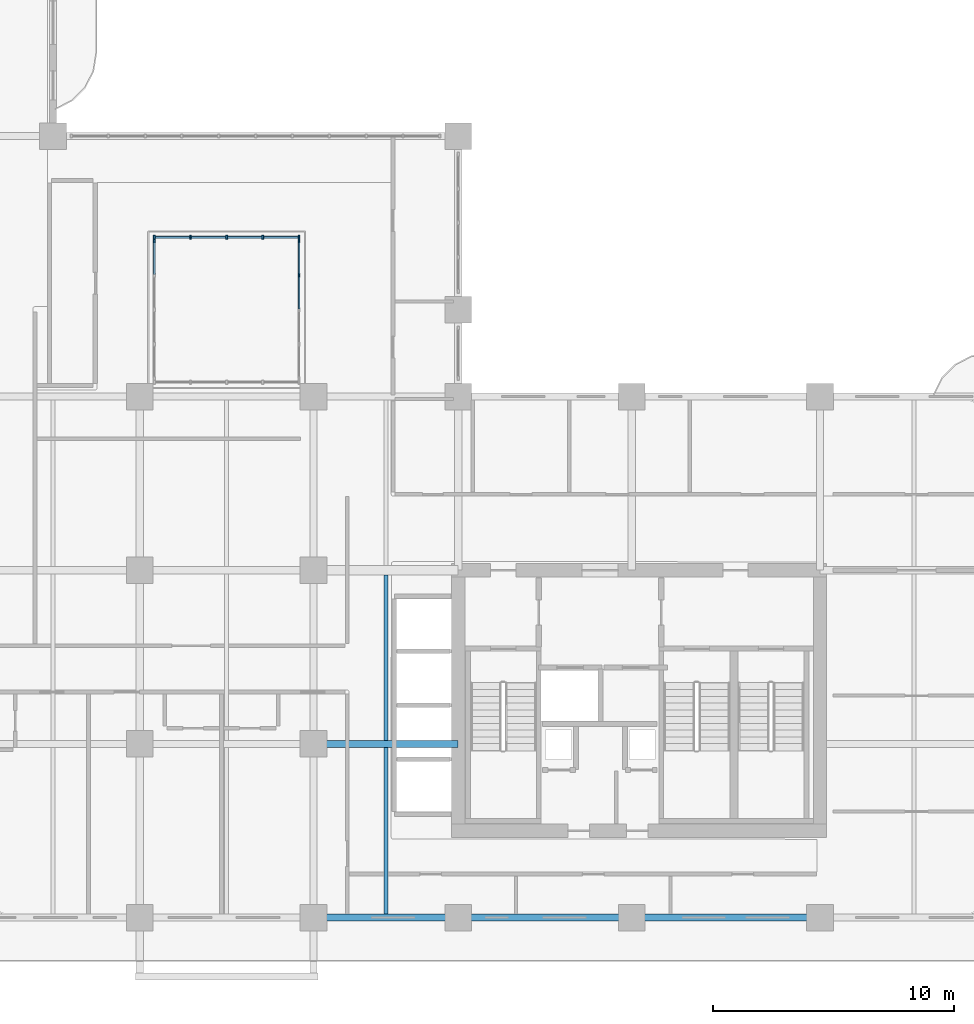
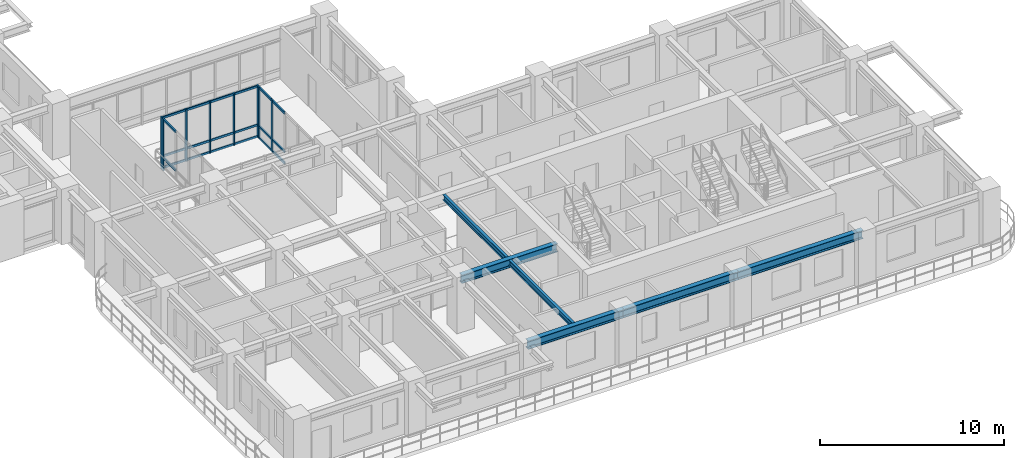
# One storey, part 3 of 22: 28 members, 6 beams, 3 elements without a shape of their own.
"""IFC4 building model written with IfcOpenShell, lengths in metres."""

from ifc_helpers import new_model, si_unit, derived_unit, direction, frame, origin, origin_2d, place, context, subcontext, project, spatial, rectangle, i_section, extrude, source, transform, mapped, material, layer, layer_set, material_profile, profile_set, type_object, type_shapes, element, aggregate, save


model = new_model("IFC4")

# Units and contexts
model_context = context("Model", 3, precision=1e-05, world=origin(), true_north=direction((0.0, 1.0)))
body_context = subcontext(model_context, "Body", "Model", "MODEL_VIEW")
ifc_project = project(units=[si_unit("LENGTHUNIT", "METRE"), si_unit("AREAUNIT", "SQUARE_METRE"), si_unit("VOLUMEUNIT", "CUBIC_METRE"), si_unit("PLANEANGLEUNIT", "RADIAN"), si_unit("MASSUNIT", "GRAM", prefix="KILO"), si_unit("THERMODYNAMICTEMPERATUREUNIT", "KELVIN"), si_unit("POWERUNIT", "WATT"), derived_unit("THERMALTRANSMITTANCEUNIT", [(si_unit("POWERUNIT", "WATT"), 1), (si_unit("AREAUNIT", "SQUARE_METRE"), -1), (si_unit("THERMODYNAMICTEMPERATUREUNIT", "KELVIN"), -1)])], contexts=[model_context])

# Site, building, storey
site_placement = place(None, origin())
site = spatial("IfcSite", under=ifc_project, at=site_placement, CompositionType="ELEMENT")
building_placement = place(site_placement, origin())
building = spatial("IfcBuilding", under=site, at=building_placement, Name="Zahravan Archway Hotel and Residences", CompositionType="ELEMENT")
storey_placement = place(building_placement, frame((0.0, 0.0, 73.10009765625)))
storey = spatial("IfcBuildingStorey", under=building, at=storey_placement, Name="L17", CompositionType="ELEMENT", Elevation=73.10009765625)

# Beams
ifc_material_1 = material(Name="Structural Steel S355JR", Category="steel")
ifc_material_profile_1 = material_profile(ifc_material_1, i_section(OverallWidth=0.300048828125, OverallDepth=0.550048828125, WebThickness=0.014892578125, FlangeThickness=0.029052734375, FilletRadius=0.027099609375, at=origin_2d()), Name="HEB 550", Category="steel")
ifc_profile_set_1 = profile_set([ifc_material_profile_1], Name="Structural Steel S355JR")
beam_type_1 = type_object("IfcBeamType", Name="BM-PRI-HEB550", PredefinedType="BEAM", material=ifc_profile_set_1)
shared_shape_1 = source(origin(), body_context, "Body", "SweptSolid", [
    extrude(i_section(OverallWidth=0.300048828125, OverallDepth=0.550048828125, WebThickness=0.014892578125, FlangeThickness=0.029052734375, FilletRadius=0.027099609375, at=origin_2d()), origin(), (0.0, 0.0, 1.0), 7.199951171875),
])
beam_1_placement = place(storey_placement, frame((34.800048828125, 0.0, 3.1748046875), z_axis=(1.0, 0.0, 0.0), x_axis=(0.0, 1.0, 0.0)))
element("IfcBeam", 1, at=beam_1_placement, inside=storey, type_object=beam_type_1, Name="L17 Primary Girder EW-04", PredefinedType="BEAM", context=body_context, shape_type="MappedRepresentation", body=[
    mapped(shared_shape_1, transform((0.0, 0.0, 0.0), scale=1.0)),
])
shared_shape_2 = source(origin(), body_context, "Body", "SweptSolid", [
    extrude(i_section(OverallWidth=0.300048828125, OverallDepth=0.550048828125, WebThickness=0.014892578125, FlangeThickness=0.029052734375, FilletRadius=0.027099609375, at=origin_2d()), origin(), (0.0, 0.0, 1.0), 6.0),
])
for number, where, z_axis, x_axis, name in (
    (2, (28.800048828125, 0.0, 3.1748046875), (1.0, 0.0, 0.0), (0.0, 1.0, 0.0), "L17 Primary Girder EW-03"),
    (3, (28.800048828125, 7.199951171875, 3.1748046875), (1.0, 0.0, 0.0), (0.0, 1.0, 0.0), "L17 Primary Girder EW-09"),
):
    element("IfcBeam", number, at=place(storey_placement, frame(where, z_axis=z_axis, x_axis=x_axis)), inside=storey, type_object=beam_type_1, Name=name, PredefinedType="BEAM", context=body_context, shape_type="MappedRepresentation", body=[
        mapped(shared_shape_2, transform((0.0, 0.0, 0.0), scale=1.0)),
    ])
shared_shape_3 = source(origin(), body_context, "Body", "SweptSolid", [
    extrude(i_section(OverallWidth=0.300048828125, OverallDepth=0.550048828125, WebThickness=0.014892578125, FlangeThickness=0.029052734375, FilletRadius=0.027099609375, at=origin_2d()), origin(), (0.0, 0.0, 1.0), 7.800048828125),
])
beam_2_placement = place(storey_placement, frame((42.0, 0.0, 3.1748046875), z_axis=(1.0, 0.0, 0.0), x_axis=(0.0, 1.0, 0.0)))
element("IfcBeam", 4, at=beam_2_placement, inside=storey, type_object=beam_type_1, Name="L17 Primary Girder EW-05", PredefinedType="BEAM", context=body_context, shape_type="MappedRepresentation", body=[
    mapped(shared_shape_3, transform((0.0, 0.0, 0.0), scale=1.0)),
])
ifc_material_profile_2 = material_profile(ifc_material_1, i_section(OverallWidth=0.169921875, OverallDepth=0.360107421875, WebThickness=0.008056640625, FlangeThickness=0.0126953125, FilletRadius=0.01806640625, at=origin_2d()), Name="IPE 360", Category="steel")
ifc_profile_set_2 = profile_set([ifc_material_profile_2], Name="Structural Steel S355JR")
beam_type_2 = type_object("IfcBeamType", Name="BM-JST-IPE360", PredefinedType="JOIST", material=ifc_profile_set_2)
shared_shape_4 = source(origin(), body_context, "Body", "SweptSolid", [
    extrude(i_section(OverallWidth=0.169921875, OverallDepth=0.360107421875, WebThickness=0.008056640625, FlangeThickness=0.0126953125, FilletRadius=0.01806640625, at=origin_2d()), origin(), (0.0, 0.0, 1.0), 6.904052734375),
])
type_shapes(beam_type_2, [shared_shape_4])
beam_3_placement = place(storey_placement, frame((31.800048828125, 0.14794921875, 3.27001953125), z_axis=(0.0, 1.0, 0.0), x_axis=(-1.0, 0.0, 0.0)))
element("IfcBeam", 5, at=beam_3_placement, inside=storey, type_object=beam_type_2, Name="L17 Composite Floor Joist 03", PredefinedType="JOIST", context=body_context, shape_type="MappedRepresentation", body=[
    mapped(shared_shape_4, transform((0.0, 0.0, 0.0), scale=1.0)),
])
shared_shape_5 = source(origin(), body_context, "Body", "SweptSolid", [
    extrude(i_section(OverallWidth=0.169921875, OverallDepth=0.360107421875, WebThickness=0.008056640625, FlangeThickness=0.0126953125, FilletRadius=0.01806640625, at=origin_2d()), origin(), (0.0, 0.0, 1.0), 6.85400390625),
])
beam_4_placement = place(storey_placement, frame((31.800048828125, 7.347900390625, 3.27001953125), z_axis=(0.0, 1.0, 0.0), x_axis=(-1.0, 0.0, 0.0)))
element("IfcBeam", 6, at=beam_4_placement, inside=storey, type_object=beam_type_2, Name="L17 Composite Floor Joist 07", PredefinedType="JOIST", context=body_context, shape_type="MappedRepresentation", body=[
    mapped(shared_shape_5, transform((0.0, 0.0, 0.0), scale=1.0)),
])

# Curtain wall, members
ifc_material_2 = material(Name="Bronze-Anodized Unitised Aluminium & Low-E Glass", Category="aluminium")
ifc_layer = layer(ifc_material_2, 0.179931640625, Name="Bronze-Anodized Unitised Aluminium & Low-E Glass", Category="aluminium")
ifc_layer_set = layer_set([ifc_layer], Name="Bronze-Anodized Unitised Aluminium & Low-E Glass")
curtain_wall_type = type_object("IfcCurtainWallType", Name="CW-ATR-GLAZ", PredefinedType="NOTDEFINED", material=ifc_layer_set)
curtain_wall_1_placement = place(storey_placement, origin())
curtain_wall_1 = element("IfcCurtainWall", 7, at=curtain_wall_1_placement, inside=storey, type_object=curtain_wall_type, Name="L17 Curtain Wall CW-ATR-L17-N-1", PredefinedType="NOTDEFINED")
ifc_material_3 = material(Name="Bronze-Anodized Extruded Aluminium", Category="aluminium")
ifc_material_profile_3 = material_profile(ifc_material_3, rectangle(XDim=0.080078125, YDim=0.159912109375, at=origin_2d()), Name="MUL 80x160", Category="aluminium")
ifc_profile_set_3 = profile_set([ifc_material_profile_3], Name="Bronze-Anodized Extruded Aluminium")
member_type_1 = type_object("IfcMemberType", Name="CWM-MUL-160", PredefinedType="MULLION", material=ifc_profile_set_3)
shared_shape_6 = source(origin(), body_context, "Body", "SweptSolid", [
    extrude(rectangle(XDim=0.080078125, YDim=0.159912109375, at=origin_2d()), origin(), (0.0, 0.0, 1.0), 3.449951171875),
])
member_1_placement = place(storey_placement, frame((22.199951171875, 28.199951171875, 0.0), z_axis=(0.0, 0.0, 1.0), x_axis=(1.0, 0.0, 0.0)))
member_1 = element("IfcMember", 8, at=member_1_placement, type_object=member_type_1, Name="CW-ATR-L17-N-1 Mullion 0", PredefinedType="MULLION", context=body_context, shape_type="MappedRepresentation", body=[
    mapped(shared_shape_6, transform((0.0, 0.0, 0.0), scale=1.0)),
])
member_2_placement = place(storey_placement, frame((23.699951171875, 28.199951171875, 0.0), z_axis=(0.0, 0.0, 1.0), x_axis=(1.0, 0.0, 0.0)))
member_2 = element("IfcMember", 9, at=member_2_placement, type_object=member_type_1, Name="CW-ATR-L17-N-1 Mullion 1", PredefinedType="MULLION", context=body_context, shape_type="MappedRepresentation", body=[
    mapped(shared_shape_6, transform((0.0, 0.0, 0.0), scale=1.0)),
])
member_3_placement = place(storey_placement, frame((25.199951171875, 28.199951171875, 0.0), z_axis=(0.0, 0.0, 1.0), x_axis=(1.0, 0.0, 0.0)))
member_3 = element("IfcMember", 10, at=member_3_placement, type_object=member_type_1, Name="CW-ATR-L17-N-1 Mullion 2", PredefinedType="MULLION", context=body_context, shape_type="MappedRepresentation", body=[
    mapped(shared_shape_6, transform((0.0, 0.0, 0.0), scale=1.0)),
])
member_4_placement = place(storey_placement, frame((26.699951171875, 28.199951171875, 0.0), z_axis=(0.0, 0.0, 1.0), x_axis=(1.0, 0.0, 0.0)))
member_4 = element("IfcMember", 11, at=member_4_placement, type_object=member_type_1, Name="CW-ATR-L17-N-1 Mullion 3", PredefinedType="MULLION", context=body_context, shape_type="MappedRepresentation", body=[
    mapped(shared_shape_6, transform((0.0, 0.0, 0.0), scale=1.0)),
])
member_5_placement = place(storey_placement, frame((28.199951171875, 28.199951171875, 0.0), z_axis=(0.0, 0.0, 1.0), x_axis=(1.0, 0.0, 0.0)))
member_5 = element("IfcMember", 12, at=member_5_placement, type_object=member_type_1, Name="CW-ATR-L17-N-1 Mullion 4", PredefinedType="MULLION", context=body_context, shape_type="MappedRepresentation", body=[
    mapped(shared_shape_6, transform((0.0, 0.0, 0.0), scale=1.0)),
])

# Curtain wall, member
curtain_wall_2_placement = place(storey_placement, origin())
curtain_wall_2 = element("IfcCurtainWall", 13, at=curtain_wall_2_placement, inside=storey, type_object=curtain_wall_type, Name="L17 Curtain Wall CW-ATR-L17-W-1", PredefinedType="NOTDEFINED")
member_6_placement = place(storey_placement, frame((22.199951171875, 28.050048828125, 0.0), z_axis=(0.0, 0.0, 1.0), x_axis=(1.0, 0.0, 0.0)))
member_6 = element("IfcMember", 14, at=member_6_placement, type_object=member_type_1, Name="CW-ATR-L17-W-1 Mullion 4", PredefinedType="MULLION", context=body_context, shape_type="MappedRepresentation", body=[
    mapped(shared_shape_6, transform((0.0, 0.0, 0.0), scale=1.0)),
])

# Curtain wall, members
curtain_wall_3_placement = place(storey_placement, origin())
curtain_wall_3 = element("IfcCurtainWall", 15, at=curtain_wall_3_placement, inside=storey, type_object=curtain_wall_type, Name="L17 Curtain Wall CW-ATR-L17-E-1", PredefinedType="NOTDEFINED")
member_7_placement = place(storey_placement, frame((28.199951171875, 26.625, 0.0), z_axis=(0.0, 0.0, 1.0), x_axis=(1.0, 0.0, 0.0)))
member_7 = element("IfcMember", 16, at=member_7_placement, type_object=member_type_1, Name="CW-ATR-L17-E-1 Mullion 3", PredefinedType="MULLION", context=body_context, shape_type="MappedRepresentation", body=[
    mapped(shared_shape_6, transform((0.0, 0.0, 0.0), scale=1.0)),
])
member_8_placement = place(storey_placement, frame((28.199951171875, 28.050048828125, 0.0), z_axis=(0.0, 0.0, 1.0), x_axis=(1.0, 0.0, 0.0)))
member_8 = element("IfcMember", 17, at=member_8_placement, type_object=member_type_1, Name="CW-ATR-L17-E-1 Mullion 4", PredefinedType="MULLION", context=body_context, shape_type="MappedRepresentation", body=[
    mapped(shared_shape_6, transform((0.0, 0.0, 0.0), scale=1.0)),
])

# Member
ifc_material_profile_4 = material_profile(ifc_material_3, rectangle(XDim=0.080078125, YDim=0.139892578125, at=origin_2d()), Name="TRN 80x140", Category="aluminium")
ifc_profile_set_4 = profile_set([ifc_material_profile_4], Name="Bronze-Anodized Extruded Aluminium")
member_type_2 = type_object("IfcMemberType", Name="CWM-TRN-140", PredefinedType="USERDEFINED", material=ifc_profile_set_4)
shared_shape_7 = source(origin(), body_context, "Body", "SweptSolid", [
    extrude(rectangle(XDim=0.080078125, YDim=0.139892578125, at=origin_2d()), origin(), (0.0, 0.0, 1.0), 1.419921875),
])
member_9_placement = place(storey_placement, frame((22.239990234375, 28.199951171875, 0.06982421875), z_axis=(1.0, 0.0, 0.0), x_axis=(0.0, 1.0, 0.0)))
member_9 = element("IfcMember", 18, at=member_9_placement, type_object=member_type_2, Name="CW-ATR-L17-N-1 Transom 0-1", ObjectType="TRANSOM", PredefinedType="USERDEFINED", context=body_context, shape_type="MappedRepresentation", body=[
    mapped(shared_shape_7, transform((0.0, 0.0, 0.0), scale=1.0)),
])

member_10_placement = place(storey_placement, frame((22.239990234375, 28.199951171875, 0.827880859375), z_axis=(1.0, 0.0, 0.0), x_axis=(0.0, 1.0, 0.0)))
member_10 = element("IfcMember", 19, at=member_10_placement, type_object=member_type_2, Name="CW-ATR-L17-N-1 Transom 0-2", ObjectType="TRANSOM", PredefinedType="USERDEFINED", context=body_context, shape_type="MappedRepresentation", body=[
    mapped(shared_shape_7, transform((0.0, 0.0, 0.0), scale=1.0)),
])

member_11_placement = place(storey_placement, frame((22.239990234375, 28.199951171875, 3.3798828125), z_axis=(1.0, 0.0, 0.0), x_axis=(0.0, 1.0, 0.0)))
member_11 = element("IfcMember", 20, at=member_11_placement, type_object=member_type_2, Name="CW-ATR-L17-N-1 Transom 0-3", ObjectType="TRANSOM", PredefinedType="USERDEFINED", context=body_context, shape_type="MappedRepresentation", body=[
    mapped(shared_shape_7, transform((0.0, 0.0, 0.0), scale=1.0)),
])

member_12_placement = place(storey_placement, frame((23.739990234375, 28.199951171875, 0.06982421875), z_axis=(1.0, 0.0, 0.0), x_axis=(0.0, 1.0, 0.0)))
member_12 = element("IfcMember", 21, at=member_12_placement, type_object=member_type_2, Name="CW-ATR-L17-N-1 Transom 1-1", ObjectType="TRANSOM", PredefinedType="USERDEFINED", context=body_context, shape_type="MappedRepresentation", body=[
    mapped(shared_shape_7, transform((0.0, 0.0, 0.0), scale=1.0)),
])

member_13_placement = place(storey_placement, frame((23.739990234375, 28.199951171875, 0.827880859375), z_axis=(1.0, 0.0, 0.0), x_axis=(0.0, 1.0, 0.0)))
member_13 = element("IfcMember", 22, at=member_13_placement, type_object=member_type_2, Name="CW-ATR-L17-N-1 Transom 1-2", ObjectType="TRANSOM", PredefinedType="USERDEFINED", context=body_context, shape_type="MappedRepresentation", body=[
    mapped(shared_shape_7, transform((0.0, 0.0, 0.0), scale=1.0)),
])

member_14_placement = place(storey_placement, frame((23.739990234375, 28.199951171875, 3.3798828125), z_axis=(1.0, 0.0, 0.0), x_axis=(0.0, 1.0, 0.0)))
member_14 = element("IfcMember", 23, at=member_14_placement, type_object=member_type_2, Name="CW-ATR-L17-N-1 Transom 1-3", ObjectType="TRANSOM", PredefinedType="USERDEFINED", context=body_context, shape_type="MappedRepresentation", body=[
    mapped(shared_shape_7, transform((0.0, 0.0, 0.0), scale=1.0)),
])

member_15_placement = place(storey_placement, frame((25.239990234375, 28.199951171875, 0.06982421875), z_axis=(1.0, 0.0, 0.0), x_axis=(0.0, 1.0, 0.0)))
member_15 = element("IfcMember", 24, at=member_15_placement, type_object=member_type_2, Name="CW-ATR-L17-N-1 Transom 2-1", ObjectType="TRANSOM", PredefinedType="USERDEFINED", context=body_context, shape_type="MappedRepresentation", body=[
    mapped(shared_shape_7, transform((0.0, 0.0, 0.0), scale=1.0)),
])

member_16_placement = place(storey_placement, frame((25.239990234375, 28.199951171875, 0.827880859375), z_axis=(1.0, 0.0, 0.0), x_axis=(0.0, 1.0, 0.0)))
member_16 = element("IfcMember", 25, at=member_16_placement, type_object=member_type_2, Name="CW-ATR-L17-N-1 Transom 2-2", ObjectType="TRANSOM", PredefinedType="USERDEFINED", context=body_context, shape_type="MappedRepresentation", body=[
    mapped(shared_shape_7, transform((0.0, 0.0, 0.0), scale=1.0)),
])

member_17_placement = place(storey_placement, frame((25.239990234375, 28.199951171875, 3.3798828125), z_axis=(1.0, 0.0, 0.0), x_axis=(0.0, 1.0, 0.0)))
member_17 = element("IfcMember", 26, at=member_17_placement, type_object=member_type_2, Name="CW-ATR-L17-N-1 Transom 2-3", ObjectType="TRANSOM", PredefinedType="USERDEFINED", context=body_context, shape_type="MappedRepresentation", body=[
    mapped(shared_shape_7, transform((0.0, 0.0, 0.0), scale=1.0)),
])

member_18_placement = place(storey_placement, frame((26.739990234375, 28.199951171875, 0.06982421875), z_axis=(1.0, 0.0, 0.0), x_axis=(0.0, 1.0, 0.0)))
member_18 = element("IfcMember", 27, at=member_18_placement, type_object=member_type_2, Name="CW-ATR-L17-N-1 Transom 3-1", ObjectType="TRANSOM", PredefinedType="USERDEFINED", context=body_context, shape_type="MappedRepresentation", body=[
    mapped(shared_shape_7, transform((0.0, 0.0, 0.0), scale=1.0)),
])

member_19_placement = place(storey_placement, frame((26.739990234375, 28.199951171875, 0.827880859375), z_axis=(1.0, 0.0, 0.0), x_axis=(0.0, 1.0, 0.0)))
member_19 = element("IfcMember", 28, at=member_19_placement, type_object=member_type_2, Name="CW-ATR-L17-N-1 Transom 3-2", ObjectType="TRANSOM", PredefinedType="USERDEFINED", context=body_context, shape_type="MappedRepresentation", body=[
    mapped(shared_shape_7, transform((0.0, 0.0, 0.0), scale=1.0)),
])

member_20_placement = place(storey_placement, frame((26.739990234375, 28.199951171875, 3.3798828125), z_axis=(1.0, 0.0, 0.0), x_axis=(0.0, 1.0, 0.0)))
member_20 = element("IfcMember", 29, at=member_20_placement, type_object=member_type_2, Name="CW-ATR-L17-N-1 Transom 3-3", ObjectType="TRANSOM", PredefinedType="USERDEFINED", context=body_context, shape_type="MappedRepresentation", body=[
    mapped(shared_shape_7, transform((0.0, 0.0, 0.0), scale=1.0)),
])

aggregate(curtain_wall_1, [member_1, member_2, member_3, member_4, member_5, member_9, member_10, member_11, member_12, member_13, member_14, member_15, member_16, member_17, member_18, member_19, member_20])

shared_shape_8 = source(origin(), body_context, "Body", "SweptSolid", [
    extrude(rectangle(XDim=0.080078125, YDim=0.139892578125, at=origin_2d()), origin(), (0.0, 0.0, 1.0), 1.344970703125),
])
member_21_placement = place(storey_placement, frame((22.199951171875, 26.6650390625, 0.827880859375), z_axis=(0.0, 1.0, 0.0), x_axis=(-1.0, 0.0, 0.0)))
member_21 = element("IfcMember", 30, at=member_21_placement, type_object=member_type_2, Name="CW-ATR-L17-W-1 Transom 3-2", ObjectType="TRANSOM", PredefinedType="USERDEFINED", context=body_context, shape_type="MappedRepresentation", body=[
    mapped(shared_shape_8, transform((0.0, 0.0, 0.0), scale=1.0)),
])

member_22_placement = place(storey_placement, frame((22.199951171875, 26.6650390625, 3.3798828125), z_axis=(0.0, 1.0, 0.0), x_axis=(-1.0, 0.0, 0.0)))
member_22 = element("IfcMember", 31, at=member_22_placement, type_object=member_type_2, Name="CW-ATR-L17-W-1 Transom 3-3", ObjectType="TRANSOM", PredefinedType="USERDEFINED", context=body_context, shape_type="MappedRepresentation", body=[
    mapped(shared_shape_8, transform((0.0, 0.0, 0.0), scale=1.0)),
])

aggregate(curtain_wall_2, [member_6, member_21, member_22])

member_23_placement = place(storey_placement, frame((28.199951171875, 25.239990234375, 0.06982421875), z_axis=(0.0, 1.0, 0.0), x_axis=(-1.0, 0.0, 0.0)))
member_23 = element("IfcMember", 32, at=member_23_placement, type_object=member_type_2, Name="CW-ATR-L17-E-1 Transom 2-1", ObjectType="TRANSOM", PredefinedType="USERDEFINED", context=body_context, shape_type="MappedRepresentation", body=[
    mapped(shared_shape_8, transform((0.0, 0.0, 0.0), scale=1.0)),
])

member_24_placement = place(storey_placement, frame((28.199951171875, 25.239990234375, 0.827880859375), z_axis=(0.0, 1.0, 0.0), x_axis=(-1.0, 0.0, 0.0)))
member_24 = element("IfcMember", 33, at=member_24_placement, type_object=member_type_2, Name="CW-ATR-L17-E-1 Transom 2-2", ObjectType="TRANSOM", PredefinedType="USERDEFINED", context=body_context, shape_type="MappedRepresentation", body=[
    mapped(shared_shape_8, transform((0.0, 0.0, 0.0), scale=1.0)),
])

member_25_placement = place(storey_placement, frame((28.199951171875, 25.239990234375, 3.3798828125), z_axis=(0.0, 1.0, 0.0), x_axis=(-1.0, 0.0, 0.0)))
member_25 = element("IfcMember", 34, at=member_25_placement, type_object=member_type_2, Name="CW-ATR-L17-E-1 Transom 2-3", ObjectType="TRANSOM", PredefinedType="USERDEFINED", context=body_context, shape_type="MappedRepresentation", body=[
    mapped(shared_shape_8, transform((0.0, 0.0, 0.0), scale=1.0)),
])

member_26_placement = place(storey_placement, frame((28.199951171875, 26.6650390625, 0.06982421875), z_axis=(0.0, 1.0, 0.0), x_axis=(-1.0, 0.0, 0.0)))
member_26 = element("IfcMember", 35, at=member_26_placement, type_object=member_type_2, Name="CW-ATR-L17-E-1 Transom 3-1", ObjectType="TRANSOM", PredefinedType="USERDEFINED", context=body_context, shape_type="MappedRepresentation", body=[
    mapped(shared_shape_8, transform((0.0, 0.0, 0.0), scale=1.0)),
])

member_27_placement = place(storey_placement, frame((28.199951171875, 26.6650390625, 0.827880859375), z_axis=(0.0, 1.0, 0.0), x_axis=(-1.0, 0.0, 0.0)))
member_27 = element("IfcMember", 36, at=member_27_placement, type_object=member_type_2, Name="CW-ATR-L17-E-1 Transom 3-2", ObjectType="TRANSOM", PredefinedType="USERDEFINED", context=body_context, shape_type="MappedRepresentation", body=[
    mapped(shared_shape_8, transform((0.0, 0.0, 0.0), scale=1.0)),
])

member_28_placement = place(storey_placement, frame((28.199951171875, 26.6650390625, 3.3798828125), z_axis=(0.0, 1.0, 0.0), x_axis=(-1.0, 0.0, 0.0)))
member_28 = element("IfcMember", 37, at=member_28_placement, type_object=member_type_2, Name="CW-ATR-L17-E-1 Transom 3-3", ObjectType="TRANSOM", PredefinedType="USERDEFINED", context=body_context, shape_type="MappedRepresentation", body=[
    mapped(shared_shape_8, transform((0.0, 0.0, 0.0), scale=1.0)),
])

aggregate(curtain_wall_3, [member_7, member_8, member_23, member_24, member_25, member_26, member_27, member_28])

save(model, "model.ifc")
